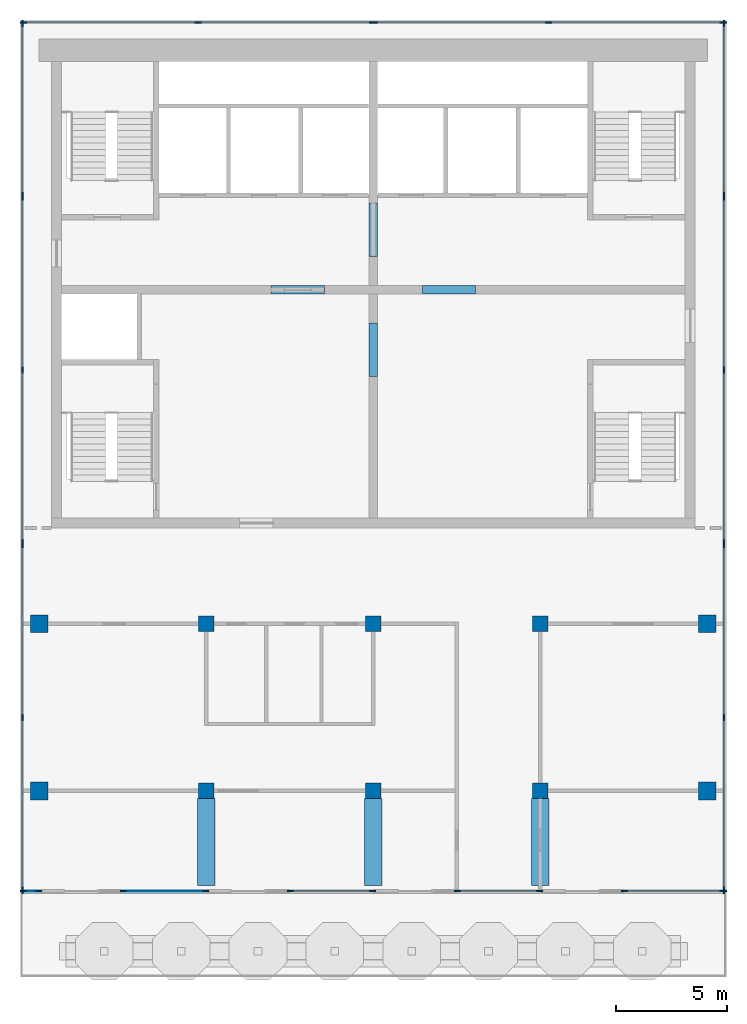
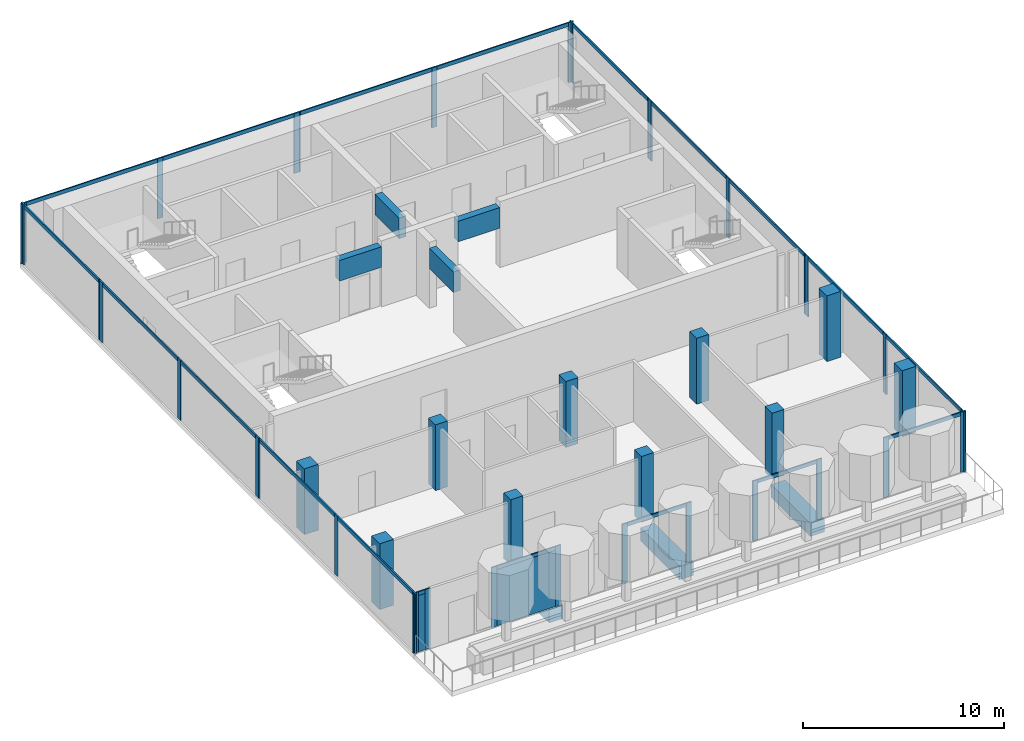
# One storey, part 1 of 6: 51 members, 10 columns, 7 beams, 2 plates, 13 elements without a shape of their own.
"""IFC4 building model written with IfcOpenShell, lengths in metres."""

from ifc_helpers import new_model, si_unit, direction, frame, origin, origin_2d, place, context, subcontext, project, spatial, rectangle, extrude, material, layer, layer_set, material_profile, profile_set, type_object, element, aggregate, save


model = new_model("IFC4")

# Units and contexts
model_context = context("Model", 3, precision=1e-05, world=origin(), true_north=direction((0.0, 1.0)))
body_context = subcontext(model_context, "Body", "Model", "MODEL_VIEW")
ifc_project = project(units=[si_unit("LENGTHUNIT", "METRE"), si_unit("AREAUNIT", "SQUARE_METRE"), si_unit("VOLUMEUNIT", "CUBIC_METRE"), si_unit("PLANEANGLEUNIT", "RADIAN"), si_unit("MASSUNIT", "GRAM", prefix="KILO")], contexts=[model_context])

# Site, building, storey
site_placement = place(None, origin())
site = spatial("IfcSite", under=ifc_project, at=site_placement, CompositionType="ELEMENT")
building_placement = place(site_placement, origin())
building = spatial("IfcBuilding", under=site, at=building_placement, Name="Pilkhan Gate Tower", CompositionType="ELEMENT")
storey_placement = place(building_placement, frame((0.0, 0.0, 283.699951171875)))
storey = spatial("IfcBuildingStorey", under=building, at=storey_placement, Name="L74", CompositionType="ELEMENT", Elevation=283.699951171875)

# Columns
ifc_material_1 = material(Name="Concrete C40/50", Category="concrete")
ifc_material_profile_1 = material_profile(ifc_material_1, rectangle(XDim=0.699951171875, YDim=0.699951171875, at=origin_2d()), Name="RC 700x700")
ifc_profile_set_1 = profile_set([ifc_material_profile_1], Name="Concrete C40/50")
column_type_1 = type_object("IfcColumnType", Name="Column C70 RC 700x700 C40/50", PredefinedType="COLUMN", material=ifc_profile_set_1)
for number, where, z_axis, x_axis, name in (
    (1, (67.5, 60.0, 0.0), (0.0, 0.0, 1.0), (1.0, 0.0, 0.0), "Column 9/F L74"),
    (2, (67.5, 67.5, 0.0), (0.0, 0.0, 1.0), (1.0, 0.0, 0.0), "Column 9/H L74"),
    (3, (75.0, 60.0, 0.0), (0.0, 0.0, 1.0), (1.0, 0.0, 0.0), "Column 11/F L74"),
    (4, (75.0, 67.5, 0.0), (0.0, 0.0, 1.0), (1.0, 0.0, 0.0), "Column 11/H L74"),
    (5, (82.5, 60.0, 0.0), (0.0, 0.0, 1.0), (1.0, 0.0, 0.0), "Column 13/F L74"),
    (6, (82.5, 67.5, 0.0), (0.0, 0.0, 1.0), (1.0, 0.0, 0.0), "Column 13/H L74"),
):
    element("IfcColumn", number, at=place(storey_placement, frame(where, z_axis=z_axis, x_axis=x_axis)), inside=storey, type_object=column_type_1, Name=name, PredefinedType="COLUMN", context=body_context, shape_type="SweptSolid", body=[
        extrude(rectangle(XDim=0.699951171875, YDim=0.699951171875, at=origin_2d()), origin(), (0.0, 0.0, 1.0), 4.0),
    ])
ifc_material_profile_2 = material_profile(ifc_material_1, rectangle(XDim=0.800048828125, YDim=0.800048828125, at=origin_2d()), Name="RC 800x800")
ifc_profile_set_2 = profile_set([ifc_material_profile_2], Name="Concrete C40/50")
column_type_2 = type_object("IfcColumnType", Name="Column C80 RC 800x800 C40/50", PredefinedType="COLUMN", material=ifc_profile_set_2)
for number, where, z_axis, x_axis, name in (
    (7, (60.0, 60.0, 0.0), (0.0, 0.0, 1.0), (1.0, 0.0, 0.0), "Column 7/F L74"),
    (8, (60.0, 67.5, 0.0), (0.0, 0.0, 1.0), (1.0, 0.0, 0.0), "Column 7/H L74"),
    (9, (90.0, 60.0, 0.0), (0.0, 0.0, 1.0), (1.0, 0.0, 0.0), "Column 15/F L74"),
    (10, (90.0, 67.5, 0.0), (0.0, 0.0, 1.0), (1.0, 0.0, 0.0), "Column 15/H L74"),
):
    element("IfcColumn", number, at=place(storey_placement, frame(where, z_axis=z_axis, x_axis=x_axis)), inside=storey, type_object=column_type_2, Name=name, PredefinedType="COLUMN", context=body_context, shape_type="SweptSolid", body=[
        extrude(rectangle(XDim=0.800048828125, YDim=0.800048828125, at=origin_2d()), origin(), (0.0, 0.0, 1.0), 4.0),
    ])

# Beams
ifc_material_2 = material(Name="Concrete C50/60", Category="concrete")
ifc_material_profile_3 = material_profile(ifc_material_2, rectangle(XDim=0.800048828125, YDim=0.800048828125, at=origin_2d()), Name="RC 800x800")
ifc_profile_set_3 = profile_set([ifc_material_profile_3], Name="Concrete C50/60")
beam_type_1 = type_object("IfcBeamType", Name="Cantilever beam CB2 RC 800x800 C50/60", PredefinedType="BEAM", material=ifc_profile_set_3)
for number, where, z_axis, x_axis, name in (
    (11, (67.5, 59.64990234375, -0.699951171875), (0.0, -1.0, 0.0), (1.0, 0.0, 0.0), "Crown cantilever beam S1 L74"),
    (12, (75.0, 59.64990234375, -0.699951171875), (0.0, -1.0, 0.0), (1.0, 0.0, 0.0), "Crown cantilever beam S2 L74"),
    (13, (82.5, 59.64990234375, -0.699951171875), (0.0, -1.0, 0.0), (1.0, 0.0, 0.0), "Crown cantilever beam S3 L74"),
):
    element("IfcBeam", number, at=place(storey_placement, frame(where, z_axis=z_axis, x_axis=x_axis)), inside=storey, type_object=beam_type_1, Name=name, PredefinedType="BEAM", context=body_context, shape_type="SweptSolid", body=[
        extrude(rectangle(XDim=0.800048828125, YDim=0.800048828125, at=origin_2d()), origin(), (0.0, 0.0, 1.0), 3.89990234375),
    ])
ifc_material_profile_4 = material_profile(ifc_material_2, rectangle(XDim=0.39990234375, YDim=1.25, at=origin_2d()), Name="RC 400x1250")
ifc_profile_set_4 = profile_set([ifc_material_profile_4], Name="Concrete C50/60")
beam_type_2 = type_object("IfcBeamType", Name="Coupling beam CB125-4 RC 400x1250 C50/60", PredefinedType="LINTEL", material=ifc_profile_set_4)
for number, where, z_axis, x_axis, name in (
    (14, (70.39990234375, 82.5, 3.025146484375), (1.0, 0.0, 0.0), (0.0, 1.0, 0.0), "Coupling beam 1 L74"),
    (15, (77.199951171875, 82.5, 3.025146484375), (1.0, 0.0, 0.0), (0.0, 1.0, 0.0), "Coupling beam 2 L74"),
):
    element("IfcBeam", number, at=place(storey_placement, frame(where, z_axis=z_axis, x_axis=x_axis)), inside=storey, type_object=beam_type_2, Name=name, PredefinedType="LINTEL", context=body_context, shape_type="SweptSolid", body=[
        extrude(rectangle(XDim=0.39990234375, YDim=1.25, at=origin_2d()), origin(), (0.0, 0.0, 1.0), 2.400146484375),
    ])
for number, where, z_axis, x_axis, name in (
    (16, (75.0, 78.60009765625, 3.025146484375), (0.0, 1.0, 0.0), (-1.0, 0.0, 0.0), "Coupling beam 3 L74"),
    (17, (75.0, 84.0, 3.025146484375), (0.0, 1.0, 0.0), (-1.0, 0.0, 0.0), "Coupling beam 4 L74"),
):
    element("IfcBeam", number, at=place(storey_placement, frame(where, z_axis=z_axis, x_axis=x_axis)), inside=storey, type_object=beam_type_2, Name=name, PredefinedType="LINTEL", context=body_context, shape_type="SweptSolid", body=[
        extrude(rectangle(XDim=0.39990234375, YDim=1.25, at=origin_2d()), origin(), (0.0, 0.0, 1.0), 2.39990234375),
    ])

# Curtain wall, members
ifc_material_3 = material(Name="Pale anodised aluminium, clear low-iron double glazing", Category="aluminium")
curtain_wall_type = type_object("IfcCurtainWallType", Name="Crown unitised curtain wall CW-C", PredefinedType="USERDEFINED", material=ifc_material_3)
curtain_wall_1_placement = place(storey_placement, origin())
curtain_wall_1 = element("IfcCurtainWall", 18, at=curtain_wall_1_placement, inside=storey, type_object=curtain_wall_type, Name="Crown unitised curtain wall CW-C L74 E", ObjectType="UNITISED CURTAIN WALL", PredefinedType="USERDEFINED")
ifc_material_4 = material(Name="Pale anodised aluminium", Category="aluminium")
ifc_material_profile_5 = material_profile(ifc_material_4, rectangle(XDim=0.074951171875, YDim=0.300048828125, at=origin_2d()), Name="Mullion 300x75")
ifc_profile_set_5 = profile_set([ifc_material_profile_5], Name="Pale anodised aluminium")
member_type_1 = type_object("IfcMemberType", Name="Mullion CW-C 300x75", PredefinedType="MULLION", material=ifc_profile_set_5)
member_1_placement = place(storey_placement, frame((90.75, 55.53759765625, 0.0), z_axis=(0.0, 0.0, 1.0), x_axis=(-1.0, 0.0, 0.0)))
member_1 = element("IfcMember", 19, at=member_1_placement, type_object=member_type_1, Name="CW-C mullion 1", PredefinedType="MULLION", context=body_context, shape_type="SweptSolid", body=[
    extrude(rectangle(XDim=0.074951171875, YDim=0.300048828125, at=origin_2d()), origin(), (0.0, 0.0, 1.0), 3.650146484375),
])
member_2_placement = place(storey_placement, frame((90.75, 63.300048828125, 0.0), z_axis=(0.0, 0.0, 1.0), x_axis=(-1.0, 0.0, 0.0)))
member_2 = element("IfcMember", 20, at=member_2_placement, type_object=member_type_1, Name="CW-C mullion 2", PredefinedType="MULLION", context=body_context, shape_type="SweptSolid", body=[
    extrude(rectangle(XDim=0.074951171875, YDim=0.300048828125, at=origin_2d()), origin(), (0.0, 0.0, 1.0), 3.650146484375),
])
member_3_placement = place(storey_placement, frame((90.75, 71.0625, 0.0), z_axis=(0.0, 0.0, 1.0), x_axis=(-1.0, 0.0, 0.0)))
member_3 = element("IfcMember", 21, at=member_3_placement, type_object=member_type_1, Name="CW-C mullion 3", PredefinedType="MULLION", context=body_context, shape_type="SweptSolid", body=[
    extrude(rectangle(XDim=0.074951171875, YDim=0.300048828125, at=origin_2d()), origin(), (0.0, 0.0, 1.0), 3.650146484375),
])

curtain_wall_2_placement = place(storey_placement, origin())
curtain_wall_2 = element("IfcCurtainWall", 22, at=curtain_wall_2_placement, inside=storey, type_object=curtain_wall_type, Name="Crown unitised curtain wall CW-C L74 E", ObjectType="UNITISED CURTAIN WALL", PredefinedType="USERDEFINED")
member_4_placement = place(storey_placement, frame((90.75, 71.137451171875, 0.0), z_axis=(0.0, 0.0, 1.0), x_axis=(-1.0, 0.0, 0.0)))
member_4 = element("IfcMember", 23, at=member_4_placement, type_object=member_type_1, Name="CW-C mullion 1", PredefinedType="MULLION", context=body_context, shape_type="SweptSolid", body=[
    extrude(rectangle(XDim=0.074951171875, YDim=0.300048828125, at=origin_2d()), origin(), (0.0, 0.0, 1.0), 3.650146484375),
])
member_5_placement = place(storey_placement, frame((90.75, 78.89990234375, 0.0), z_axis=(0.0, 0.0, 1.0), x_axis=(-1.0, 0.0, 0.0)))
member_5 = element("IfcMember", 24, at=member_5_placement, type_object=member_type_1, Name="CW-C mullion 2", PredefinedType="MULLION", context=body_context, shape_type="SweptSolid", body=[
    extrude(rectangle(XDim=0.074951171875, YDim=0.300048828125, at=origin_2d()), origin(), (0.0, 0.0, 1.0), 3.650146484375),
])
member_6_placement = place(storey_placement, frame((90.75, 86.66259765625, 0.0), z_axis=(0.0, 0.0, 1.0), x_axis=(-1.0, 0.0, 0.0)))
member_6 = element("IfcMember", 25, at=member_6_placement, type_object=member_type_1, Name="CW-C mullion 3", PredefinedType="MULLION", context=body_context, shape_type="SweptSolid", body=[
    extrude(rectangle(XDim=0.074951171875, YDim=0.300048828125, at=origin_2d()), origin(), (0.0, 0.0, 1.0), 3.650146484375),
])

curtain_wall_3_placement = place(storey_placement, origin())
curtain_wall_3 = element("IfcCurtainWall", 26, at=curtain_wall_3_placement, inside=storey, type_object=curtain_wall_type, Name="Crown unitised curtain wall CW-C L74 E", ObjectType="UNITISED CURTAIN WALL", PredefinedType="USERDEFINED")
member_7_placement = place(storey_placement, frame((90.75, 86.737548828125, 0.0), z_axis=(0.0, 0.0, 1.0), x_axis=(-1.0, 0.0, 0.0)))
member_7 = element("IfcMember", 27, at=member_7_placement, type_object=member_type_1, Name="CW-C mullion 1", PredefinedType="MULLION", context=body_context, shape_type="SweptSolid", body=[
    extrude(rectangle(XDim=0.074951171875, YDim=0.300048828125, at=origin_2d()), origin(), (0.0, 0.0, 1.0), 3.650146484375),
])
member_8_placement = place(storey_placement, frame((90.75, 94.46240234375, 0.0), z_axis=(0.0, 0.0, 1.0), x_axis=(-1.0, 0.0, 0.0)))
member_8 = element("IfcMember", 28, at=member_8_placement, type_object=member_type_1, Name="CW-C mullion 2", PredefinedType="MULLION", context=body_context, shape_type="SweptSolid", body=[
    extrude(rectangle(XDim=0.074951171875, YDim=0.300048828125, at=origin_2d()), origin(), (0.0, 0.0, 1.0), 3.650146484375),
])

curtain_wall_4_placement = place(storey_placement, origin())
curtain_wall_4 = element("IfcCurtainWall", 29, at=curtain_wall_4_placement, inside=storey, type_object=curtain_wall_type, Name="Crown unitised curtain wall CW-C L74 N", ObjectType="UNITISED CURTAIN WALL", PredefinedType="USERDEFINED")
member_9_placement = place(storey_placement, frame((59.28759765625, 94.5, 0.0), z_axis=(0.0, 0.0, 1.0), x_axis=(0.0, 1.0, 0.0)))
member_9 = element("IfcMember", 30, at=member_9_placement, type_object=member_type_1, Name="CW-C mullion 1", PredefinedType="MULLION", context=body_context, shape_type="SweptSolid", body=[
    extrude(rectangle(XDim=0.074951171875, YDim=0.300048828125, at=origin_2d()), origin(), (0.0, 0.0, 1.0), 3.650146484375),
])
member_10_placement = place(storey_placement, frame((67.125, 94.5, 0.0), z_axis=(0.0, 0.0, 1.0), x_axis=(0.0, 1.0, 0.0)))
member_10 = element("IfcMember", 31, at=member_10_placement, type_object=member_type_1, Name="CW-C mullion 2", PredefinedType="MULLION", context=body_context, shape_type="SweptSolid", body=[
    extrude(rectangle(XDim=0.074951171875, YDim=0.300048828125, at=origin_2d()), origin(), (0.0, 0.0, 1.0), 3.650146484375),
])
member_11_placement = place(storey_placement, frame((74.96240234375, 94.5, 0.0), z_axis=(0.0, 0.0, 1.0), x_axis=(0.0, 1.0, 0.0)))
member_11 = element("IfcMember", 32, at=member_11_placement, type_object=member_type_1, Name="CW-C mullion 3", PredefinedType="MULLION", context=body_context, shape_type="SweptSolid", body=[
    extrude(rectangle(XDim=0.074951171875, YDim=0.300048828125, at=origin_2d()), origin(), (0.0, 0.0, 1.0), 3.650146484375),
])

curtain_wall_5_placement = place(storey_placement, origin())
curtain_wall_5 = element("IfcCurtainWall", 33, at=curtain_wall_5_placement, inside=storey, type_object=curtain_wall_type, Name="Crown unitised curtain wall CW-C L74 N", ObjectType="UNITISED CURTAIN WALL", PredefinedType="USERDEFINED")
member_12_placement = place(storey_placement, frame((75.03759765625, 94.5, 0.0), z_axis=(0.0, 0.0, 1.0), x_axis=(0.0, 1.0, 0.0)))
member_12 = element("IfcMember", 34, at=member_12_placement, type_object=member_type_1, Name="CW-C mullion 1", PredefinedType="MULLION", context=body_context, shape_type="SweptSolid", body=[
    extrude(rectangle(XDim=0.074951171875, YDim=0.300048828125, at=origin_2d()), origin(), (0.0, 0.0, 1.0), 3.650146484375),
])
member_13_placement = place(storey_placement, frame((82.875, 94.5, 0.0), z_axis=(0.0, 0.0, 1.0), x_axis=(0.0, 1.0, 0.0)))
member_13 = element("IfcMember", 35, at=member_13_placement, type_object=member_type_1, Name="CW-C mullion 2", PredefinedType="MULLION", context=body_context, shape_type="SweptSolid", body=[
    extrude(rectangle(XDim=0.074951171875, YDim=0.300048828125, at=origin_2d()), origin(), (0.0, 0.0, 1.0), 3.650146484375),
])
member_14_placement = place(storey_placement, frame((90.71240234375, 94.5, 0.0), z_axis=(0.0, 0.0, 1.0), x_axis=(0.0, 1.0, 0.0)))
member_14 = element("IfcMember", 36, at=member_14_placement, type_object=member_type_1, Name="CW-C mullion 3", PredefinedType="MULLION", context=body_context, shape_type="SweptSolid", body=[
    extrude(rectangle(XDim=0.074951171875, YDim=0.300048828125, at=origin_2d()), origin(), (0.0, 0.0, 1.0), 3.650146484375),
])

curtain_wall_6_placement = place(storey_placement, origin())
curtain_wall_6 = element("IfcCurtainWall", 37, at=curtain_wall_6_placement, inside=storey, type_object=curtain_wall_type, Name="Crown unitised curtain wall CW-C L74 W", ObjectType="UNITISED CURTAIN WALL", PredefinedType="USERDEFINED")
member_15_placement = place(storey_placement, frame((59.25, 55.53759765625, 0.0), z_axis=(0.0, 0.0, 1.0), x_axis=(-1.0, 0.0, 0.0)))
member_15 = element("IfcMember", 38, at=member_15_placement, type_object=member_type_1, Name="CW-C mullion 1", PredefinedType="MULLION", context=body_context, shape_type="SweptSolid", body=[
    extrude(rectangle(XDim=0.074951171875, YDim=0.300048828125, at=origin_2d()), origin(), (0.0, 0.0, 1.0), 3.650146484375),
])
member_16_placement = place(storey_placement, frame((59.25, 63.300048828125, 0.0), z_axis=(0.0, 0.0, 1.0), x_axis=(-1.0, 0.0, 0.0)))
member_16 = element("IfcMember", 39, at=member_16_placement, type_object=member_type_1, Name="CW-C mullion 2", PredefinedType="MULLION", context=body_context, shape_type="SweptSolid", body=[
    extrude(rectangle(XDim=0.074951171875, YDim=0.300048828125, at=origin_2d()), origin(), (0.0, 0.0, 1.0), 3.650146484375),
])
member_17_placement = place(storey_placement, frame((59.25, 71.0625, 0.0), z_axis=(0.0, 0.0, 1.0), x_axis=(-1.0, 0.0, 0.0)))
member_17 = element("IfcMember", 40, at=member_17_placement, type_object=member_type_1, Name="CW-C mullion 3", PredefinedType="MULLION", context=body_context, shape_type="SweptSolid", body=[
    extrude(rectangle(XDim=0.074951171875, YDim=0.300048828125, at=origin_2d()), origin(), (0.0, 0.0, 1.0), 3.650146484375),
])

curtain_wall_7_placement = place(storey_placement, origin())
curtain_wall_7 = element("IfcCurtainWall", 41, at=curtain_wall_7_placement, inside=storey, type_object=curtain_wall_type, Name="Crown unitised curtain wall CW-C L74 W", ObjectType="UNITISED CURTAIN WALL", PredefinedType="USERDEFINED")
member_18_placement = place(storey_placement, frame((59.25, 71.137451171875, 0.0), z_axis=(0.0, 0.0, 1.0), x_axis=(-1.0, 0.0, 0.0)))
member_18 = element("IfcMember", 42, at=member_18_placement, type_object=member_type_1, Name="CW-C mullion 1", PredefinedType="MULLION", context=body_context, shape_type="SweptSolid", body=[
    extrude(rectangle(XDim=0.074951171875, YDim=0.300048828125, at=origin_2d()), origin(), (0.0, 0.0, 1.0), 3.650146484375),
])
member_19_placement = place(storey_placement, frame((59.25, 78.89990234375, 0.0), z_axis=(0.0, 0.0, 1.0), x_axis=(-1.0, 0.0, 0.0)))
member_19 = element("IfcMember", 43, at=member_19_placement, type_object=member_type_1, Name="CW-C mullion 2", PredefinedType="MULLION", context=body_context, shape_type="SweptSolid", body=[
    extrude(rectangle(XDim=0.074951171875, YDim=0.300048828125, at=origin_2d()), origin(), (0.0, 0.0, 1.0), 3.650146484375),
])
member_20_placement = place(storey_placement, frame((59.25, 86.66259765625, 0.0), z_axis=(0.0, 0.0, 1.0), x_axis=(-1.0, 0.0, 0.0)))
member_20 = element("IfcMember", 44, at=member_20_placement, type_object=member_type_1, Name="CW-C mullion 3", PredefinedType="MULLION", context=body_context, shape_type="SweptSolid", body=[
    extrude(rectangle(XDim=0.074951171875, YDim=0.300048828125, at=origin_2d()), origin(), (0.0, 0.0, 1.0), 3.650146484375),
])

curtain_wall_8_placement = place(storey_placement, origin())
curtain_wall_8 = element("IfcCurtainWall", 45, at=curtain_wall_8_placement, inside=storey, type_object=curtain_wall_type, Name="Crown unitised curtain wall CW-C L74 W", ObjectType="UNITISED CURTAIN WALL", PredefinedType="USERDEFINED")
member_21_placement = place(storey_placement, frame((59.25, 86.737548828125, 0.0), z_axis=(0.0, 0.0, 1.0), x_axis=(-1.0, 0.0, 0.0)))
member_21 = element("IfcMember", 46, at=member_21_placement, type_object=member_type_1, Name="CW-C mullion 1", PredefinedType="MULLION", context=body_context, shape_type="SweptSolid", body=[
    extrude(rectangle(XDim=0.074951171875, YDim=0.300048828125, at=origin_2d()), origin(), (0.0, 0.0, 1.0), 3.650146484375),
])
member_22_placement = place(storey_placement, frame((59.25, 94.46240234375, 0.0), z_axis=(0.0, 0.0, 1.0), x_axis=(-1.0, 0.0, 0.0)))
member_22 = element("IfcMember", 47, at=member_22_placement, type_object=member_type_1, Name="CW-C mullion 2", PredefinedType="MULLION", context=body_context, shape_type="SweptSolid", body=[
    extrude(rectangle(XDim=0.074951171875, YDim=0.300048828125, at=origin_2d()), origin(), (0.0, 0.0, 1.0), 3.650146484375),
])

curtain_wall_9_placement = place(storey_placement, origin())
curtain_wall_9 = element("IfcCurtainWall", 48, at=curtain_wall_9_placement, inside=storey, type_object=curtain_wall_type, Name="Crown unitised curtain wall CW-C L74 S", ObjectType="UNITISED CURTAIN WALL", PredefinedType="USERDEFINED")
member_23_placement = place(storey_placement, frame((59.28759765625, 55.5, 0.0), z_axis=(0.0, 0.0, 1.0), x_axis=(0.0, 1.0, 0.0)))
member_23 = element("IfcMember", 49, at=member_23_placement, type_object=member_type_1, Name="CW-C mullion 1", PredefinedType="MULLION", context=body_context, shape_type="SweptSolid", body=[
    extrude(rectangle(XDim=0.074951171875, YDim=0.300048828125, at=origin_2d()), origin(), (0.0, 0.0, 1.0), 3.650146484375),
])
member_24_placement = place(storey_placement, frame((59.96240234375, 55.5, 0.0), z_axis=(0.0, 0.0, 1.0), x_axis=(0.0, 1.0, 0.0)))
member_24 = element("IfcMember", 50, at=member_24_placement, type_object=member_type_1, Name="CW-C mullion 2", PredefinedType="MULLION", context=body_context, shape_type="SweptSolid", body=[
    extrude(rectangle(XDim=0.074951171875, YDim=0.300048828125, at=origin_2d()), origin(), (0.0, 0.0, 1.0), 3.650146484375),
])

curtain_wall_10_placement = place(storey_placement, origin())
curtain_wall_10 = element("IfcCurtainWall", 51, at=curtain_wall_10_placement, inside=storey, type_object=curtain_wall_type, Name="Crown unitised curtain wall CW-C L74 S", ObjectType="UNITISED CURTAIN WALL", PredefinedType="USERDEFINED")
member_25_placement = place(storey_placement, frame((63.78759765625, 55.5, 0.0), z_axis=(0.0, 0.0, 1.0), x_axis=(0.0, 1.0, 0.0)))
member_25 = element("IfcMember", 52, at=member_25_placement, type_object=member_type_1, Name="CW-C mullion 1", PredefinedType="MULLION", context=body_context, shape_type="SweptSolid", body=[
    extrude(rectangle(XDim=0.074951171875, YDim=0.300048828125, at=origin_2d()), origin(), (0.0, 0.0, 1.0), 3.650146484375),
])
member_26_placement = place(storey_placement, frame((67.46240234375, 55.5, 0.0), z_axis=(0.0, 0.0, 1.0), x_axis=(0.0, 1.0, 0.0)))
member_26 = element("IfcMember", 53, at=member_26_placement, type_object=member_type_1, Name="CW-C mullion 2", PredefinedType="MULLION", context=body_context, shape_type="SweptSolid", body=[
    extrude(rectangle(XDim=0.074951171875, YDim=0.300048828125, at=origin_2d()), origin(), (0.0, 0.0, 1.0), 3.650146484375),
])

curtain_wall_11_placement = place(storey_placement, origin())
curtain_wall_11 = element("IfcCurtainWall", 54, at=curtain_wall_11_placement, inside=storey, type_object=curtain_wall_type, Name="Crown unitised curtain wall CW-C L74 S", ObjectType="UNITISED CURTAIN WALL", PredefinedType="USERDEFINED")
member_27_placement = place(storey_placement, frame((71.28759765625, 55.5, 0.0), z_axis=(0.0, 0.0, 1.0), x_axis=(0.0, 1.0, 0.0)))
member_27 = element("IfcMember", 55, at=member_27_placement, type_object=member_type_1, Name="CW-C mullion 1", PredefinedType="MULLION", context=body_context, shape_type="SweptSolid", body=[
    extrude(rectangle(XDim=0.074951171875, YDim=0.300048828125, at=origin_2d()), origin(), (0.0, 0.0, 1.0), 3.650146484375),
])
member_28_placement = place(storey_placement, frame((74.96240234375, 55.5, 0.0), z_axis=(0.0, 0.0, 1.0), x_axis=(0.0, 1.0, 0.0)))
member_28 = element("IfcMember", 56, at=member_28_placement, type_object=member_type_1, Name="CW-C mullion 2", PredefinedType="MULLION", context=body_context, shape_type="SweptSolid", body=[
    extrude(rectangle(XDim=0.074951171875, YDim=0.300048828125, at=origin_2d()), origin(), (0.0, 0.0, 1.0), 3.650146484375),
])

curtain_wall_12_placement = place(storey_placement, origin())
curtain_wall_12 = element("IfcCurtainWall", 57, at=curtain_wall_12_placement, inside=storey, type_object=curtain_wall_type, Name="Crown unitised curtain wall CW-C L74 S", ObjectType="UNITISED CURTAIN WALL", PredefinedType="USERDEFINED")
member_29_placement = place(storey_placement, frame((78.78759765625, 55.5, 0.0), z_axis=(0.0, 0.0, 1.0), x_axis=(0.0, 1.0, 0.0)))
member_29 = element("IfcMember", 58, at=member_29_placement, type_object=member_type_1, Name="CW-C mullion 1", PredefinedType="MULLION", context=body_context, shape_type="SweptSolid", body=[
    extrude(rectangle(XDim=0.074951171875, YDim=0.300048828125, at=origin_2d()), origin(), (0.0, 0.0, 1.0), 3.650146484375),
])
member_30_placement = place(storey_placement, frame((82.46240234375, 55.5, 0.0), z_axis=(0.0, 0.0, 1.0), x_axis=(0.0, 1.0, 0.0)))
member_30 = element("IfcMember", 59, at=member_30_placement, type_object=member_type_1, Name="CW-C mullion 2", PredefinedType="MULLION", context=body_context, shape_type="SweptSolid", body=[
    extrude(rectangle(XDim=0.074951171875, YDim=0.300048828125, at=origin_2d()), origin(), (0.0, 0.0, 1.0), 3.650146484375),
])

curtain_wall_13_placement = place(storey_placement, origin())
curtain_wall_13 = element("IfcCurtainWall", 60, at=curtain_wall_13_placement, inside=storey, type_object=curtain_wall_type, Name="Crown unitised curtain wall CW-C L74 S", ObjectType="UNITISED CURTAIN WALL", PredefinedType="USERDEFINED")
member_31_placement = place(storey_placement, frame((86.28759765625, 55.5, 0.0), z_axis=(0.0, 0.0, 1.0), x_axis=(0.0, 1.0, 0.0)))
member_31 = element("IfcMember", 61, at=member_31_placement, type_object=member_type_1, Name="CW-C mullion 1", PredefinedType="MULLION", context=body_context, shape_type="SweptSolid", body=[
    extrude(rectangle(XDim=0.074951171875, YDim=0.300048828125, at=origin_2d()), origin(), (0.0, 0.0, 1.0), 3.650146484375),
])
member_32_placement = place(storey_placement, frame((90.71240234375, 55.5, 0.0), z_axis=(0.0, 0.0, 1.0), x_axis=(0.0, 1.0, 0.0)))
member_32 = element("IfcMember", 62, at=member_32_placement, type_object=member_type_1, Name="CW-C mullion 2", PredefinedType="MULLION", context=body_context, shape_type="SweptSolid", body=[
    extrude(rectangle(XDim=0.074951171875, YDim=0.300048828125, at=origin_2d()), origin(), (0.0, 0.0, 1.0), 3.650146484375),
])

# Member
ifc_material_profile_6 = material_profile(ifc_material_4, rectangle(XDim=0.074951171875, YDim=0.219970703125, at=origin_2d()), Name="Transom 220x75")
ifc_profile_set_6 = profile_set([ifc_material_profile_6], Name="Pale anodised aluminium")
member_type_2 = type_object("IfcMemberType", Name="Transom CW-C 220x75", PredefinedType="USERDEFINED", material=ifc_profile_set_6)
member_33_placement = place(storey_placement, frame((90.75, 55.574951171875, 3.5400390625), z_axis=(0.0, 1.0, 0.0), x_axis=(-1.0, 0.0, 0.0)))
member_33 = element("IfcMember", 63, at=member_33_placement, type_object=member_type_2, Name="CW-C transom 1", ObjectType="TRANSOM", PredefinedType="USERDEFINED", context=body_context, shape_type="SweptSolid", body=[
    extrude(rectangle(XDim=0.074951171875, YDim=0.219970703125, at=origin_2d()), origin(), (0.0, 0.0, 1.0), 7.6875),
])

member_34_placement = place(storey_placement, frame((90.75, 63.33740234375, 3.5400390625), z_axis=(0.0, 1.0, 0.0), x_axis=(-1.0, 0.0, 0.0)))
member_34 = element("IfcMember", 64, at=member_34_placement, type_object=member_type_2, Name="CW-C transom 2", ObjectType="TRANSOM", PredefinedType="USERDEFINED", context=body_context, shape_type="SweptSolid", body=[
    extrude(rectangle(XDim=0.074951171875, YDim=0.219970703125, at=origin_2d()), origin(), (0.0, 0.0, 1.0), 7.6875),
])

aggregate(curtain_wall_1, [member_1, member_2, member_3, member_33, member_34])

member_35_placement = place(storey_placement, frame((90.75, 71.175048828125, 3.5400390625), z_axis=(0.0, 1.0, 0.0), x_axis=(-1.0, 0.0, 0.0)))
member_35 = element("IfcMember", 65, at=member_35_placement, type_object=member_type_2, Name="CW-C transom 1", ObjectType="TRANSOM", PredefinedType="USERDEFINED", context=body_context, shape_type="SweptSolid", body=[
    extrude(rectangle(XDim=0.074951171875, YDim=0.219970703125, at=origin_2d()), origin(), (0.0, 0.0, 1.0), 7.6875),
])

member_36_placement = place(storey_placement, frame((90.75, 78.9375, 3.5400390625), z_axis=(0.0, 1.0, 0.0), x_axis=(-1.0, 0.0, 0.0)))
member_36 = element("IfcMember", 66, at=member_36_placement, type_object=member_type_2, Name="CW-C transom 2", ObjectType="TRANSOM", PredefinedType="USERDEFINED", context=body_context, shape_type="SweptSolid", body=[
    extrude(rectangle(XDim=0.074951171875, YDim=0.219970703125, at=origin_2d()), origin(), (0.0, 0.0, 1.0), 7.6875),
])

aggregate(curtain_wall_2, [member_4, member_5, member_6, member_35, member_36])

member_37_placement = place(storey_placement, frame((90.75, 86.77490234375, 3.5400390625), z_axis=(0.0, 1.0, 0.0), x_axis=(-1.0, 0.0, 0.0)))
member_37 = element("IfcMember", 67, at=member_37_placement, type_object=member_type_2, Name="CW-C transom 1", ObjectType="TRANSOM", PredefinedType="USERDEFINED", context=body_context, shape_type="SweptSolid", body=[
    extrude(rectangle(XDim=0.074951171875, YDim=0.219970703125, at=origin_2d()), origin(), (0.0, 0.0, 1.0), 7.650146484375),
])

aggregate(curtain_wall_3, [member_7, member_8, member_37])

member_38_placement = place(storey_placement, frame((59.324951171875, 94.5, 3.5400390625), z_axis=(1.0, 0.0, 0.0), x_axis=(0.0, 1.0, 0.0)))
member_38 = element("IfcMember", 68, at=member_38_placement, type_object=member_type_2, Name="CW-C transom 1", ObjectType="TRANSOM", PredefinedType="USERDEFINED", context=body_context, shape_type="SweptSolid", body=[
    extrude(rectangle(XDim=0.074951171875, YDim=0.219970703125, at=origin_2d()), origin(), (0.0, 0.0, 1.0), 7.762451171875),
])

member_39_placement = place(storey_placement, frame((67.16259765625, 94.5, 3.5400390625), z_axis=(1.0, 0.0, 0.0), x_axis=(0.0, 1.0, 0.0)))
member_39 = element("IfcMember", 69, at=member_39_placement, type_object=member_type_2, Name="CW-C transom 2", ObjectType="TRANSOM", PredefinedType="USERDEFINED", context=body_context, shape_type="SweptSolid", body=[
    extrude(rectangle(XDim=0.074951171875, YDim=0.219970703125, at=origin_2d()), origin(), (0.0, 0.0, 1.0), 7.762451171875),
])

aggregate(curtain_wall_4, [member_9, member_10, member_11, member_38, member_39])

member_40_placement = place(storey_placement, frame((75.074951171875, 94.5, 3.5400390625), z_axis=(1.0, 0.0, 0.0), x_axis=(0.0, 1.0, 0.0)))
member_40 = element("IfcMember", 70, at=member_40_placement, type_object=member_type_2, Name="CW-C transom 1", ObjectType="TRANSOM", PredefinedType="USERDEFINED", context=body_context, shape_type="SweptSolid", body=[
    extrude(rectangle(XDim=0.074951171875, YDim=0.219970703125, at=origin_2d()), origin(), (0.0, 0.0, 1.0), 7.762451171875),
])

member_41_placement = place(storey_placement, frame((82.91259765625, 94.5, 3.5400390625), z_axis=(1.0, 0.0, 0.0), x_axis=(0.0, 1.0, 0.0)))
member_41 = element("IfcMember", 71, at=member_41_placement, type_object=member_type_2, Name="CW-C transom 2", ObjectType="TRANSOM", PredefinedType="USERDEFINED", context=body_context, shape_type="SweptSolid", body=[
    extrude(rectangle(XDim=0.074951171875, YDim=0.219970703125, at=origin_2d()), origin(), (0.0, 0.0, 1.0), 7.762451171875),
])

aggregate(curtain_wall_5, [member_12, member_13, member_14, member_40, member_41])

member_42_placement = place(storey_placement, frame((59.25, 55.574951171875, 3.5400390625), z_axis=(0.0, 1.0, 0.0), x_axis=(-1.0, 0.0, 0.0)))
member_42 = element("IfcMember", 72, at=member_42_placement, type_object=member_type_2, Name="CW-C transom 1", ObjectType="TRANSOM", PredefinedType="USERDEFINED", context=body_context, shape_type="SweptSolid", body=[
    extrude(rectangle(XDim=0.074951171875, YDim=0.219970703125, at=origin_2d()), origin(), (0.0, 0.0, 1.0), 7.6875),
])

member_43_placement = place(storey_placement, frame((59.25, 63.33740234375, 3.5400390625), z_axis=(0.0, 1.0, 0.0), x_axis=(-1.0, 0.0, 0.0)))
member_43 = element("IfcMember", 73, at=member_43_placement, type_object=member_type_2, Name="CW-C transom 2", ObjectType="TRANSOM", PredefinedType="USERDEFINED", context=body_context, shape_type="SweptSolid", body=[
    extrude(rectangle(XDim=0.074951171875, YDim=0.219970703125, at=origin_2d()), origin(), (0.0, 0.0, 1.0), 7.6875),
])

aggregate(curtain_wall_6, [member_15, member_16, member_17, member_42, member_43])

member_44_placement = place(storey_placement, frame((59.25, 71.175048828125, 3.5400390625), z_axis=(0.0, 1.0, 0.0), x_axis=(-1.0, 0.0, 0.0)))
member_44 = element("IfcMember", 74, at=member_44_placement, type_object=member_type_2, Name="CW-C transom 1", ObjectType="TRANSOM", PredefinedType="USERDEFINED", context=body_context, shape_type="SweptSolid", body=[
    extrude(rectangle(XDim=0.074951171875, YDim=0.219970703125, at=origin_2d()), origin(), (0.0, 0.0, 1.0), 7.6875),
])

member_45_placement = place(storey_placement, frame((59.25, 78.9375, 3.5400390625), z_axis=(0.0, 1.0, 0.0), x_axis=(-1.0, 0.0, 0.0)))
member_45 = element("IfcMember", 75, at=member_45_placement, type_object=member_type_2, Name="CW-C transom 2", ObjectType="TRANSOM", PredefinedType="USERDEFINED", context=body_context, shape_type="SweptSolid", body=[
    extrude(rectangle(XDim=0.074951171875, YDim=0.219970703125, at=origin_2d()), origin(), (0.0, 0.0, 1.0), 7.6875),
])

aggregate(curtain_wall_7, [member_18, member_19, member_20, member_44, member_45])

member_46_placement = place(storey_placement, frame((59.25, 86.77490234375, 3.5400390625), z_axis=(0.0, 1.0, 0.0), x_axis=(-1.0, 0.0, 0.0)))
member_46 = element("IfcMember", 76, at=member_46_placement, type_object=member_type_2, Name="CW-C transom 1", ObjectType="TRANSOM", PredefinedType="USERDEFINED", context=body_context, shape_type="SweptSolid", body=[
    extrude(rectangle(XDim=0.074951171875, YDim=0.219970703125, at=origin_2d()), origin(), (0.0, 0.0, 1.0), 7.650146484375),
])

aggregate(curtain_wall_8, [member_21, member_22, member_46])

member_47_placement = place(storey_placement, frame((59.324951171875, 55.5, 3.5400390625), z_axis=(1.0, 0.0, 0.0), x_axis=(0.0, 1.0, 0.0)))
member_47 = element("IfcMember", 77, at=member_47_placement, type_object=member_type_2, Name="CW-C transom 1", ObjectType="TRANSOM", PredefinedType="USERDEFINED", context=body_context, shape_type="SweptSolid", body=[
    extrude(rectangle(XDim=0.074951171875, YDim=0.219970703125, at=origin_2d()), origin(), (0.0, 0.0, 1.0), 0.60009765625),
])

member_48_placement = place(storey_placement, frame((63.824951171875, 55.5, 3.5400390625), z_axis=(1.0, 0.0, 0.0), x_axis=(0.0, 1.0, 0.0)))
member_48 = element("IfcMember", 78, at=member_48_placement, type_object=member_type_2, Name="CW-C transom 1", ObjectType="TRANSOM", PredefinedType="USERDEFINED", context=body_context, shape_type="SweptSolid", body=[
    extrude(rectangle(XDim=0.074951171875, YDim=0.219970703125, at=origin_2d()), origin(), (0.0, 0.0, 1.0), 3.60009765625),
])

member_49_placement = place(storey_placement, frame((71.324951171875, 55.5, 3.5400390625), z_axis=(1.0, 0.0, 0.0), x_axis=(0.0, 1.0, 0.0)))
member_49 = element("IfcMember", 79, at=member_49_placement, type_object=member_type_2, Name="CW-C transom 1", ObjectType="TRANSOM", PredefinedType="USERDEFINED", context=body_context, shape_type="SweptSolid", body=[
    extrude(rectangle(XDim=0.074951171875, YDim=0.219970703125, at=origin_2d()), origin(), (0.0, 0.0, 1.0), 3.60009765625),
])

aggregate(curtain_wall_11, [member_27, member_28, member_49])

member_50_placement = place(storey_placement, frame((78.824951171875, 55.5, 3.5400390625), z_axis=(1.0, 0.0, 0.0), x_axis=(0.0, 1.0, 0.0)))
member_50 = element("IfcMember", 80, at=member_50_placement, type_object=member_type_2, Name="CW-C transom 1", ObjectType="TRANSOM", PredefinedType="USERDEFINED", context=body_context, shape_type="SweptSolid", body=[
    extrude(rectangle(XDim=0.074951171875, YDim=0.219970703125, at=origin_2d()), origin(), (0.0, 0.0, 1.0), 3.60009765625),
])

aggregate(curtain_wall_12, [member_29, member_30, member_50])

member_51_placement = place(storey_placement, frame((86.324951171875, 55.5, 3.5400390625), z_axis=(1.0, 0.0, 0.0), x_axis=(0.0, 1.0, 0.0)))
member_51 = element("IfcMember", 81, at=member_51_placement, type_object=member_type_2, Name="CW-C transom 1", ObjectType="TRANSOM", PredefinedType="USERDEFINED", context=body_context, shape_type="SweptSolid", body=[
    extrude(rectangle(XDim=0.074951171875, YDim=0.219970703125, at=origin_2d()), origin(), (0.0, 0.0, 1.0), 4.35009765625),
])

aggregate(curtain_wall_13, [member_31, member_32, member_51])

# Plate
ifc_material_5 = material(Name="Clear low-iron double glazing", Category="glass")
ifc_layer = layer(ifc_material_5, 0.0439453125)
ifc_layer_set = layer_set([ifc_layer], Name="Glass panel CW-C 44")
plate_type = type_object("IfcPlateType", Name="Glass panel CW-C 44", PredefinedType="CURTAIN_PANEL", material=ifc_layer_set)
plate_1_placement = place(storey_placement, frame((59.625, 55.5, 0.0), z_axis=(0.0, 0.0, 1.0), x_axis=(1.0, 0.0, 0.0)))
plate_1 = element("IfcPlate", 82, at=plate_1_placement, type_object=plate_type, Name="CW-C panel 1", PredefinedType="CURTAIN_PANEL", context=body_context, shape_type="SweptSolid", body=[
    extrude(rectangle(XDim=0.60009765625, YDim=0.0439453125, at=origin_2d()), origin(), (0.0, 0.0, 1.0), 3.429931640625),
])

aggregate(curtain_wall_9, [member_23, member_24, member_47, plate_1])

plate_2_placement = place(storey_placement, frame((65.625, 55.5, 0.0), z_axis=(0.0, 0.0, 1.0), x_axis=(1.0, 0.0, 0.0)))
plate_2 = element("IfcPlate", 83, at=plate_2_placement, type_object=plate_type, Name="CW-C panel 1", PredefinedType="CURTAIN_PANEL", context=body_context, shape_type="SweptSolid", body=[
    extrude(rectangle(XDim=3.60009765625, YDim=0.0439453125, at=origin_2d()), origin(), (0.0, 0.0, 1.0), 3.429931640625),
])

aggregate(curtain_wall_10, [member_25, member_26, member_48, plate_2])

save(model, "model.ifc")
